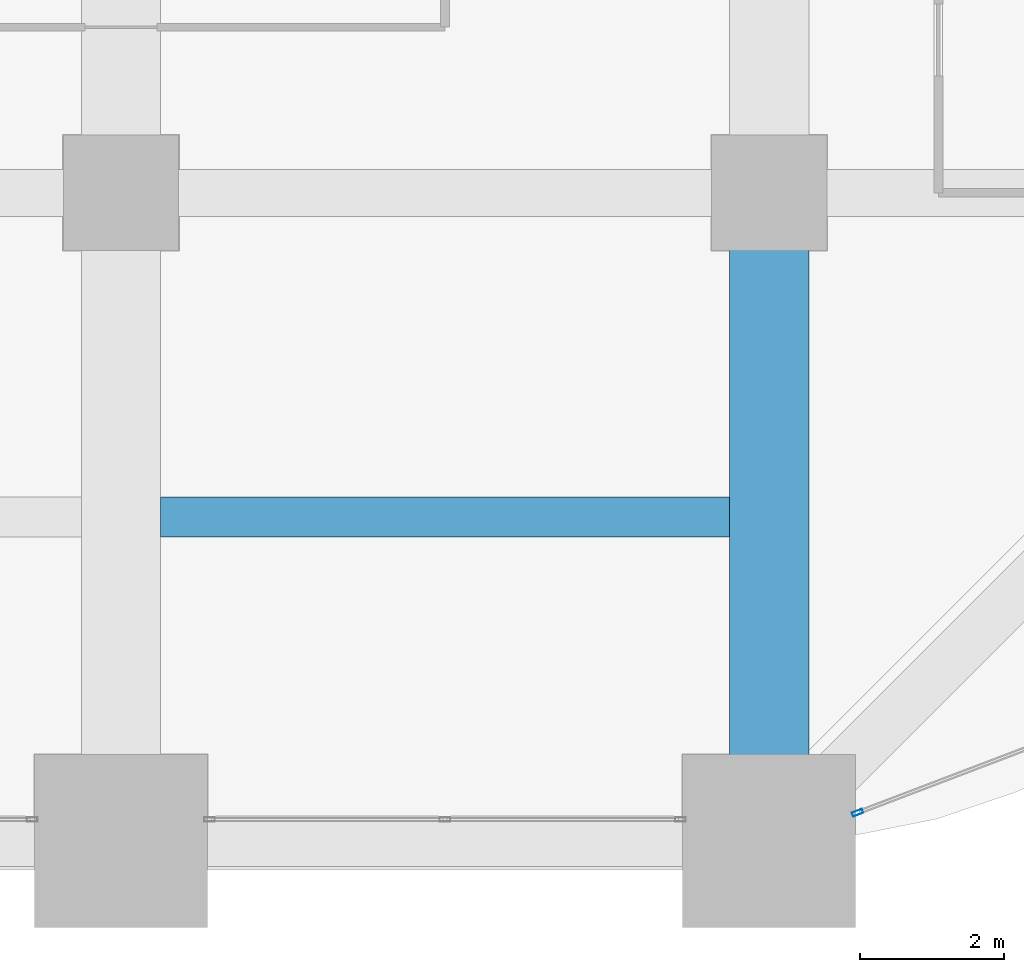
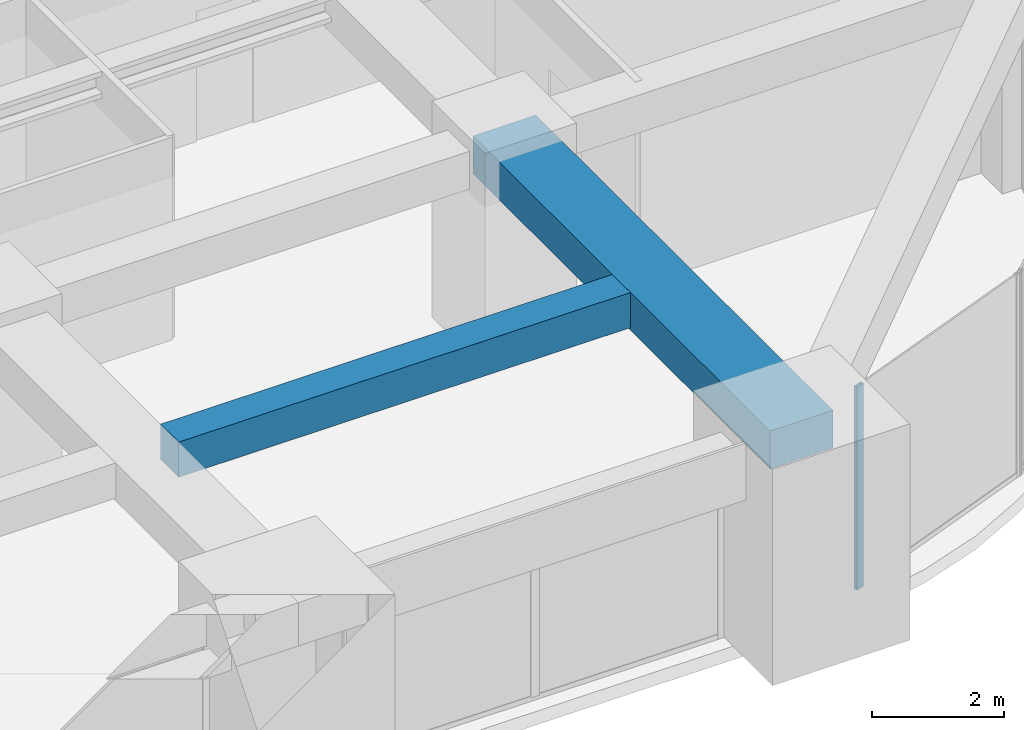
# One storey, part 14 of 33: 2 beams, 1 member, 1 element without a shape of its own.
"""IFC4 building model written with IfcOpenShell, lengths in metres."""

import ifcopenshell
import ifcopenshell.guid

model = None  # the IFC model being written
_history = None  # IfcOwnerHistory: only IFC2X3 demands one
_inside = {}  # id of a spatial element -> (the spatial element, [elements in it])
_under = {}  # id of a project, library or spatial element -> (it, [spatial elements below it])
_declared = {}  # id of a project -> (the project, [libraries it declares])
_typed = {}  # id of a type object -> (the type object, [elements of that type])
_made_of = {}  # id of a material, layer set ... -> (it, [elements and type objects made of it])


def new_model(schema):
    """Start an empty IFC model of exactly this schema.

    Asked for "IFC4X3", IfcOpenShell would pick the latest addendum, in which some entities
    have other attributes; the version numbers below select the first issue.
    IFC2X3 requires an IfcOwnerHistory on every rooted entity: one is made here for all.
    """
    global model, _history
    if schema == "IFC4X3":
        model = ifcopenshell.file(schema_version=(4, 3, 0, 0))
    else:
        model = ifcopenshell.file(schema=schema)
    _inside.clear()
    _under.clear()
    _declared.clear()
    _typed.clear()
    _made_of.clear()
    _history = None
    if model.schema == "IFC2X3":
        org = make("IfcOrganization", Name="unknown")
        user = make(
            "IfcPersonAndOrganization",
            ThePerson=make("IfcPerson", FamilyName="unknown"),
            TheOrganization=org,
        )
        app = make(
            "IfcApplication",
            ApplicationDeveloper=org,
            Version="unknown",
            ApplicationFullName="unknown",
            ApplicationIdentifier="unknown",
        )
        _history = make(
            "IfcOwnerHistory",
            OwningUser=user,
            OwningApplication=app,
            ChangeAction="ADDED",
            CreationDate=0,
        )
    return model


def make(cls, **values):
    """One entity of the class cls with the attributes given. An attribute that is None is left unset."""
    return model.create_entity(
        cls, **{name: value for name, value in values.items() if value is not None}
    )


def rooted(cls, **values):
    """An entity with a GlobalId (a new one), such as an element, a storey or a relation."""
    return make(cls, GlobalId=ifcopenshell.guid.new(), OwnerHistory=_history, **values)


def si_unit(unit_type, name, prefix=None):
    """IfcSIUnit, for example si_unit("LENGTHUNIT", "METRE", prefix="MILLI")."""
    return make("IfcSIUnit", UnitType=unit_type, Prefix=prefix, Name=name)


def assignment(units):
    """IfcUnitAssignment: the units of a project."""
    return None if units is None else make("IfcUnitAssignment", Units=units)


def point(xyz):
    """IfcCartesianPoint."""
    return None if xyz is None else make("IfcCartesianPoint", Coordinates=xyz)


def direction(xyz):
    """IfcDirection."""
    return None if xyz is None else make("IfcDirection", DirectionRatios=xyz)


def frame(location, z_axis=None, x_axis=None):
    """IfcAxis2Placement3D, a coordinate frame: its origin and axes. An axis left out is left unset."""
    return make(
        "IfcAxis2Placement3D",
        Location=point(location),
        Axis=direction(z_axis),
        RefDirection=direction(x_axis),
    )


def frame_2d(location, x_axis=None):
    """IfcAxis2Placement2D, a coordinate frame in the plane: its origin and x axis."""
    return make(
        "IfcAxis2Placement2D", Location=point(location), RefDirection=direction(x_axis)
    )


def origin():
    """The frame at (0, 0, 0) with its axes left unset."""
    return frame((0.0, 0.0, 0.0))


def origin_2d():
    """The frame at (0, 0) in the plane with its x axis left unset."""
    return frame_2d((0.0, 0.0))


def place(relative_to, where):
    """IfcLocalPlacement: puts the frame where relative to a parent placement (None: the world)."""
    return make(
        "IfcLocalPlacement", PlacementRelTo=relative_to, RelativePlacement=where
    )


def context(
    kind, dimensions, precision=None, world=None, true_north=None, identifier=None
):
    """IfcGeometricRepresentationContext, for example the 3D "Model" context."""
    return make(
        "IfcGeometricRepresentationContext",
        ContextIdentifier=identifier,
        ContextType=kind,
        CoordinateSpaceDimension=dimensions,
        Precision=precision,
        WorldCoordinateSystem=world,
        TrueNorth=true_north,
    )


def subcontext(parent, identifier, kind, view, scale=None):
    """IfcGeometricRepresentationSubContext, for example "Body" below "Model"."""
    return make(
        "IfcGeometricRepresentationSubContext",
        ContextIdentifier=identifier,
        ContextType=kind,
        ParentContext=parent,
        TargetScale=scale,
        TargetView=view,
    )


def project(units=None, contexts=None):
    """IfcProject with its units and contexts."""
    return rooted(
        "IfcProject",
        Name="project",
        RepresentationContexts=contexts,
        UnitsInContext=assignment(units),
    )


def spatial(cls, under=None, at=None, **own):
    """A site, building, storey or space (cls), placed at a placement, below another one or the project."""
    s = rooted(cls, ObjectPlacement=at, **own)
    if under is not None:
        _under.setdefault(under.id(), (under, []))[1].append(s)
    return s


def profile(cls, at=None, kind="AREA", **sizes):
    """A parametric profile (cls). Its sizes go by their IFC names, for example OverallWidth=200.0."""
    return make(cls, ProfileType=kind, Position=at, **sizes)


def rectangle(**sizes):
    """IfcRectangleProfileDef."""
    return profile("IfcRectangleProfileDef", **sizes)


def hollow_rectangle(**sizes):
    """IfcRectangleHollowProfileDef."""
    return profile("IfcRectangleHollowProfileDef", **sizes)


def extrude(swept, where, along, depth):
    """IfcExtrudedAreaSolid: the profile swept, set in the frame where, extruded along a direction by depth."""
    return make(
        "IfcExtrudedAreaSolid",
        SweptArea=swept,
        Position=where,
        ExtrudedDirection=direction(along),
        Depth=depth,
    )


def shape(context_of_items, identifier, shape_type, items):
    """IfcShapeRepresentation: the items that make up one representation, for example the "Body"."""
    return make(
        "IfcShapeRepresentation",
        ContextOfItems=context_of_items,
        RepresentationIdentifier=identifier,
        RepresentationType=shape_type,
        Items=items,
    )


def material(Name=None, Category=None):
    """IfcMaterial."""
    return make("IfcMaterial", Name=Name, Category=Category)


def material_profile(
    of_material, cross_section, Name=None, Category=None, Priority=None
):
    """IfcMaterialProfile: a cross section and its material."""
    return make(
        "IfcMaterialProfile",
        Name=Name,
        Material=of_material,
        Profile=cross_section,
        Priority=Priority,
        Category=Category,
    )


def profile_set(profiles, Name=None, composite=None):
    """IfcMaterialProfileSet."""
    return make(
        "IfcMaterialProfileSet",
        Name=Name,
        MaterialProfiles=profiles,
        CompositeProfile=composite,
    )


def made_of(thing, what):
    """Note that an element or type object is made of a material, layer set ...; save() writes the relation."""
    if what is not None:
        _made_of.setdefault(what.id(), (what, []))[1].append(thing)
    return thing


def type_object(cls, material=None, **own):
    """A type object (cls), such as IfcWallType, which elements share."""
    return made_of(rooted(cls, **own), material)


def element(
    cls,
    number,
    at=None,
    inside=None,
    cuts=None,
    type_object=None,
    material=None,
    context=None,
    identifier="Body",
    shape_type=None,
    held_by="IfcProductDefinitionShape",
    body=None,
    shapes=None,
    **own,
):
    """One element of the class cls, such as IfcWall. Its Tag is "e" and its number.

    at: its placement. inside: the storey or other place that contains it. cuts: it is an
    opening in that element (IfcRelVoidsElement). A single representation is given by context,
    identifier, shape_type and body (its items); several are given by shapes. held_by: the class
    of the entity that holds the representations. save() writes the other relations.
    """
    e = rooted(cls, Tag="e%d" % number, ObjectPlacement=at, **own)
    if body is not None:
        shapes = [shape(context, identifier, shape_type, body)]
    if shapes is not None:
        e.Representation = make(held_by, Representations=shapes)
    if inside is not None:
        _inside.setdefault(inside.id(), (inside, []))[1].append(e)
    if cuts is not None:
        rooted(
            "IfcRelVoidsElement", RelatingBuildingElement=cuts, RelatedOpeningElement=e
        )
    if type_object is not None:
        _typed.setdefault(type_object.id(), (type_object, []))[1].append(e)
    return made_of(e, material)


def aggregate(whole, parts):
    """IfcRelAggregates: a whole, such as a stair, and the parts it consists of."""
    return rooted("IfcRelAggregates", RelatingObject=whole, RelatedObjects=parts)


def save(model, path):
    """Write the relations noted so far, then the file.

    IfcRelAggregates (storeys below a building ...), IfcRelContainedInSpatialStructure (elements
    in a storey), IfcRelDefinesByType, IfcRelAssociatesMaterial and IfcRelDeclares: one each for
    every whole, place, type object, material and project.
    """
    for whole, parts in _under.values():
        aggregate(whole, parts)
    for where, things in _inside.values():
        rooted(
            "IfcRelContainedInSpatialStructure",
            RelatedElements=things,
            RelatingStructure=where,
        )
    for kind, things in _typed.values():
        rooted("IfcRelDefinesByType", RelatedObjects=things, RelatingType=kind)
    for what, things in _made_of.values():
        rooted("IfcRelAssociatesMaterial", RelatedObjects=things, RelatingMaterial=what)
    for by, libraries in _declared.values():
        rooted("IfcRelDeclares", RelatingContext=by, RelatedDefinitions=libraries)
    model.write(path)


model = new_model("IFC4")

# Units and contexts
model_context = context("Model", 3, precision=1e-05, world=origin(), true_north=direction((0.0, 1.0)))
body_context = subcontext(model_context, "Body", "Model", "MODEL_VIEW")
ifc_project = project(units=[si_unit("LENGTHUNIT", "METRE"), si_unit("AREAUNIT", "SQUARE_METRE"), si_unit("VOLUMEUNIT", "CUBIC_METRE"), si_unit("PLANEANGLEUNIT", "RADIAN"), si_unit("MASSUNIT", "GRAM", prefix="KILO")], contexts=[model_context])

# Site, building, storey
site_placement = place(None, origin())
site = spatial("IfcSite", under=ifc_project, at=site_placement, CompositionType="ELEMENT")
building_placement = place(site_placement, origin())
building = spatial("IfcBuilding", under=site, at=building_placement, Name="Zorevar Civic Tower", CompositionType="ELEMENT")
storey_placement = place(building_placement, frame((0.0, 0.0, 194.199951171875)))
storey = spatial("IfcBuildingStorey", under=building, at=storey_placement, Name="L47", CompositionType="ELEMENT", Elevation=194.199951171875)

# Beams
ifc_material_1 = material(Name="Concrete C50/60", Category="concrete")
ifc_material_profile_1 = material_profile(ifc_material_1, rectangle(XDim=1.10009765625, YDim=0.699951171875, at=origin_2d()), Name="RC 1100x700")
ifc_profile_set_1 = profile_set([ifc_material_profile_1], Name="Concrete C50/60")
beam_type_1 = type_object("IfcBeamType", Name="Beam RC 1100x700", PredefinedType="BEAM", material=ifc_profile_set_1)
beam_1_placement = place(storey_placement, frame((45.0, 0.0, 3.400146484375), z_axis=(0.0, 1.0, 0.0), x_axis=(-1.0, 0.0, 0.0)))
element("IfcBeam", 1, at=beam_1_placement, inside=storey, type_object=beam_type_1, Name="Girder L48", PredefinedType="BEAM", context=body_context, shape_type="SweptSolid", body=[
    extrude(rectangle(XDim=1.10009765625, YDim=0.699951171875, at=origin_2d()), origin(), (0.0, 0.0, 1.0), 9.0),
])
ifc_material_2 = material(Name="Concrete C50/60", Category="concrete")
ifc_material_profile_2 = material_profile(ifc_material_2, rectangle(XDim=0.550048828125, YDim=0.64990234375, at=origin_2d()), Name="RC 550x650")
ifc_profile_set_2 = profile_set([ifc_material_profile_2], Name="Concrete C50/60")
beam_type_2 = type_object("IfcBeamType", Name="Beam RC 550x650", PredefinedType="BEAM", material=ifc_profile_set_2)
beam_2_placement = place(storey_placement, frame((36.550048828125, 4.5, 3.425048828125), z_axis=(1.0, 0.0, 0.0), x_axis=(0.0, 1.0, 0.0)))
element("IfcBeam", 2, at=beam_2_placement, inside=storey, type_object=beam_type_2, Name="Secondary beam L48", PredefinedType="BEAM", context=body_context, shape_type="SweptSolid", body=[
    extrude(rectangle(XDim=0.550048828125, YDim=0.64990234375, at=origin_2d()), origin(), (0.0, 0.0, 1.0), 7.89990234375),
])

# Curtain wall, member
ifc_material_3 = material(Name="Dark grey solar-control glass in black aluminium frame", Category="aluminium")
curtain_wall_type = type_object("IfcCurtainWallType", Name="Curtain wall CW4 high zone", PredefinedType="NOTDEFINED", material=ifc_material_3)
curtain_wall_placement = place(storey_placement, origin())
curtain_wall = element("IfcCurtainWall", 3, at=curtain_wall_placement, inside=storey, type_object=curtain_wall_type, Name="CW4 L47", PredefinedType="NOTDEFINED")
ifc_material_4 = material(Name="Aluminium, black anodised", Category="aluminium")
ifc_material_profile_3 = material_profile(ifc_material_4, hollow_rectangle(XDim=0.06005859375, YDim=0.14990234375, WallThickness=0.00390625, at=origin_2d()), Name="AL 150x60x4")
ifc_profile_set_3 = profile_set([ifc_material_profile_3], Name="Aluminium, black anodised")
member_type = type_object("IfcMemberType", Name="CW4 mullion AL 150x60x4", PredefinedType="MULLION", material=ifc_profile_set_3)
member_placement = place(storey_placement, frame((46.22802734375, 0.393798828125, 0.0), z_axis=(0.0, 0.0, 1.0), x_axis=(-0.355730895803, 0.93458842801, 0.0)))
member = element("IfcMember", 4, at=member_placement, type_object=member_type, Name="CW4 mullion 1", PredefinedType="MULLION", context=body_context, shape_type="SweptSolid", body=[
    extrude(hollow_rectangle(XDim=0.06005859375, YDim=0.14990234375, WallThickness=0.00390625, at=origin_2d()), origin(), (0.0, 0.0, 1.0), 3.75),
])
aggregate(curtain_wall, [member])

save(model, "model.ifc")
